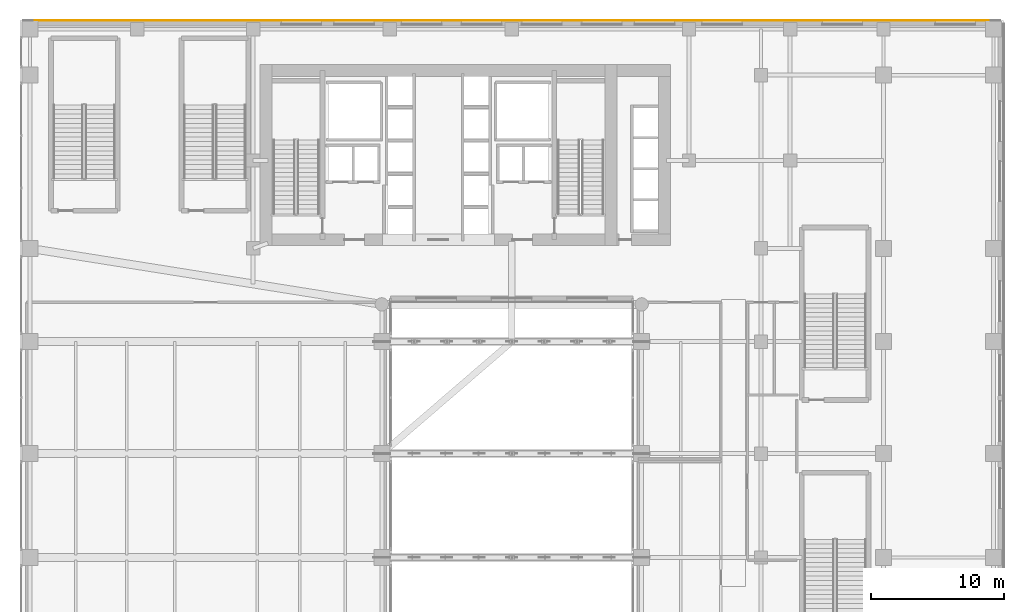
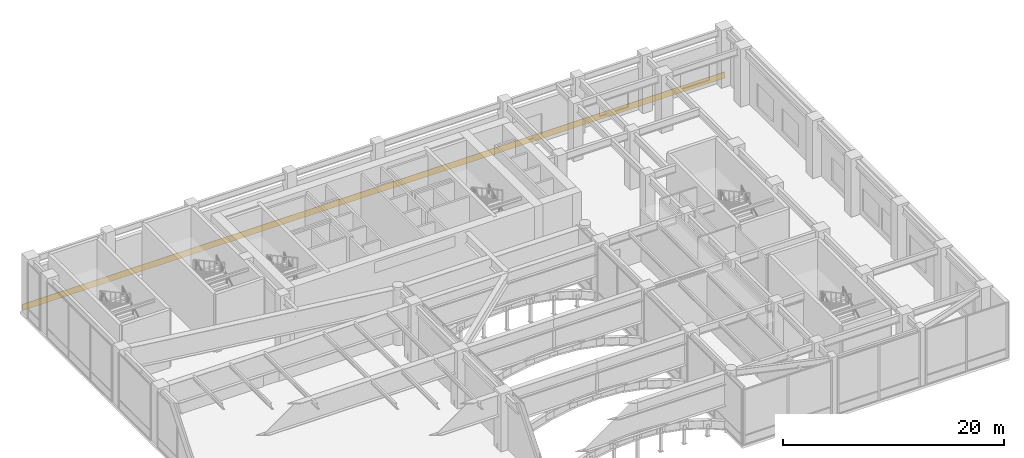
# One storey, part 49 of 50: 1 covering.
"""IFC4 building model written with IfcOpenShell, lengths in metres."""

import ifcopenshell
import ifcopenshell.guid

model = None  # the IFC model being written
_history = None  # IfcOwnerHistory: only IFC2X3 demands one
_inside = {}  # id of a spatial element -> (the spatial element, [elements in it])
_under = {}  # id of a project, library or spatial element -> (it, [spatial elements below it])
_declared = {}  # id of a project -> (the project, [libraries it declares])
_typed = {}  # id of a type object -> (the type object, [elements of that type])
_made_of = {}  # id of a material, layer set ... -> (it, [elements and type objects made of it])


def new_model(schema):
    """Start an empty IFC model of exactly this schema.

    Asked for "IFC4X3", IfcOpenShell would pick the latest addendum, in which some entities
    have other attributes; the version numbers below select the first issue.
    IFC2X3 requires an IfcOwnerHistory on every rooted entity: one is made here for all.
    """
    global model, _history
    if schema == "IFC4X3":
        model = ifcopenshell.file(schema_version=(4, 3, 0, 0))
    else:
        model = ifcopenshell.file(schema=schema)
    _inside.clear()
    _under.clear()
    _declared.clear()
    _typed.clear()
    _made_of.clear()
    _history = None
    if model.schema == "IFC2X3":
        org = make("IfcOrganization", Name="unknown")
        user = make(
            "IfcPersonAndOrganization",
            ThePerson=make("IfcPerson", FamilyName="unknown"),
            TheOrganization=org,
        )
        app = make(
            "IfcApplication",
            ApplicationDeveloper=org,
            Version="unknown",
            ApplicationFullName="unknown",
            ApplicationIdentifier="unknown",
        )
        _history = make(
            "IfcOwnerHistory",
            OwningUser=user,
            OwningApplication=app,
            ChangeAction="ADDED",
            CreationDate=0,
        )
    return model


def make(cls, **values):
    """One entity of the class cls with the attributes given. An attribute that is None is left unset."""
    return model.create_entity(
        cls, **{name: value for name, value in values.items() if value is not None}
    )


def rooted(cls, **values):
    """An entity with a GlobalId (a new one), such as an element, a storey or a relation."""
    return make(cls, GlobalId=ifcopenshell.guid.new(), OwnerHistory=_history, **values)


def si_unit(unit_type, name, prefix=None):
    """IfcSIUnit, for example si_unit("LENGTHUNIT", "METRE", prefix="MILLI")."""
    return make("IfcSIUnit", UnitType=unit_type, Prefix=prefix, Name=name)


def assignment(units):
    """IfcUnitAssignment: the units of a project."""
    return None if units is None else make("IfcUnitAssignment", Units=units)


def point(xyz):
    """IfcCartesianPoint."""
    return None if xyz is None else make("IfcCartesianPoint", Coordinates=xyz)


def direction(xyz):
    """IfcDirection."""
    return None if xyz is None else make("IfcDirection", DirectionRatios=xyz)


def frame(location, z_axis=None, x_axis=None):
    """IfcAxis2Placement3D, a coordinate frame: its origin and axes. An axis left out is left unset."""
    return make(
        "IfcAxis2Placement3D",
        Location=point(location),
        Axis=direction(z_axis),
        RefDirection=direction(x_axis),
    )


def origin():
    """The frame at (0, 0, 0) with its axes left unset."""
    return frame((0.0, 0.0, 0.0))


def place(relative_to, where):
    """IfcLocalPlacement: puts the frame where relative to a parent placement (None: the world)."""
    return make(
        "IfcLocalPlacement", PlacementRelTo=relative_to, RelativePlacement=where
    )


def context(
    kind, dimensions, precision=None, world=None, true_north=None, identifier=None
):
    """IfcGeometricRepresentationContext, for example the 3D "Model" context."""
    return make(
        "IfcGeometricRepresentationContext",
        ContextIdentifier=identifier,
        ContextType=kind,
        CoordinateSpaceDimension=dimensions,
        Precision=precision,
        WorldCoordinateSystem=world,
        TrueNorth=true_north,
    )


def subcontext(parent, identifier, kind, view, scale=None):
    """IfcGeometricRepresentationSubContext, for example "Body" below "Model"."""
    return make(
        "IfcGeometricRepresentationSubContext",
        ContextIdentifier=identifier,
        ContextType=kind,
        ParentContext=parent,
        TargetScale=scale,
        TargetView=view,
    )


def project(units=None, contexts=None):
    """IfcProject with its units and contexts."""
    return rooted(
        "IfcProject",
        Name="project",
        RepresentationContexts=contexts,
        UnitsInContext=assignment(units),
    )


def spatial(cls, under=None, at=None, **own):
    """A site, building, storey or space (cls), placed at a placement, below another one or the project."""
    s = rooted(cls, ObjectPlacement=at, **own)
    if under is not None:
        _under.setdefault(under.id(), (under, []))[1].append(s)
    return s


def polyline(points):
    """IfcPolyline through the points."""
    return make("IfcPolyline", Points=[point(p) for p in points])


def outline(outer, holes=None, kind="AREA"):
    """IfcArbitraryClosedProfileDef: a profile drawn as a closed curve; with holes, ...WithVoids."""
    if holes is None:
        return make("IfcArbitraryClosedProfileDef", ProfileType=kind, OuterCurve=outer)
    return make(
        "IfcArbitraryProfileDefWithVoids",
        ProfileType=kind,
        OuterCurve=outer,
        InnerCurves=holes,
    )


def extrude(swept, where, along, depth):
    """IfcExtrudedAreaSolid: the profile swept, set in the frame where, extruded along a direction by depth."""
    return make(
        "IfcExtrudedAreaSolid",
        SweptArea=swept,
        Position=where,
        ExtrudedDirection=direction(along),
        Depth=depth,
    )


def shape(context_of_items, identifier, shape_type, items):
    """IfcShapeRepresentation: the items that make up one representation, for example the "Body"."""
    return make(
        "IfcShapeRepresentation",
        ContextOfItems=context_of_items,
        RepresentationIdentifier=identifier,
        RepresentationType=shape_type,
        Items=items,
    )


def material(Name=None, Category=None):
    """IfcMaterial."""
    return make("IfcMaterial", Name=Name, Category=Category)


def layer(
    of_material, thickness, ventilated=None, Name=None, Category=None, Priority=None
):
    """IfcMaterialLayer: one layer of a wall or slab, of a material (None: an air gap)."""
    return make(
        "IfcMaterialLayer",
        Material=of_material,
        LayerThickness=thickness,
        IsVentilated=ventilated,
        Name=Name,
        Category=Category,
        Priority=Priority,
    )


def layer_set(layers, Name=None):
    """IfcMaterialLayerSet."""
    return make("IfcMaterialLayerSet", MaterialLayers=layers, LayerSetName=Name)


def made_of(thing, what):
    """Note that an element or type object is made of a material, layer set ...; save() writes the relation."""
    if what is not None:
        _made_of.setdefault(what.id(), (what, []))[1].append(thing)
    return thing


def type_object(cls, material=None, **own):
    """A type object (cls), such as IfcWallType, which elements share."""
    return made_of(rooted(cls, **own), material)


def element(
    cls,
    number,
    at=None,
    inside=None,
    cuts=None,
    type_object=None,
    material=None,
    context=None,
    identifier="Body",
    shape_type=None,
    held_by="IfcProductDefinitionShape",
    body=None,
    shapes=None,
    **own,
):
    """One element of the class cls, such as IfcWall. Its Tag is "e" and its number.

    at: its placement. inside: the storey or other place that contains it. cuts: it is an
    opening in that element (IfcRelVoidsElement). A single representation is given by context,
    identifier, shape_type and body (its items); several are given by shapes. held_by: the class
    of the entity that holds the representations. save() writes the other relations.
    """
    e = rooted(cls, Tag="e%d" % number, ObjectPlacement=at, **own)
    if body is not None:
        shapes = [shape(context, identifier, shape_type, body)]
    if shapes is not None:
        e.Representation = make(held_by, Representations=shapes)
    if inside is not None:
        _inside.setdefault(inside.id(), (inside, []))[1].append(e)
    if cuts is not None:
        rooted(
            "IfcRelVoidsElement", RelatingBuildingElement=cuts, RelatedOpeningElement=e
        )
    if type_object is not None:
        _typed.setdefault(type_object.id(), (type_object, []))[1].append(e)
    return made_of(e, material)


def aggregate(whole, parts):
    """IfcRelAggregates: a whole, such as a stair, and the parts it consists of."""
    return rooted("IfcRelAggregates", RelatingObject=whole, RelatedObjects=parts)


def save(model, path):
    """Write the relations noted so far, then the file.

    IfcRelAggregates (storeys below a building ...), IfcRelContainedInSpatialStructure (elements
    in a storey), IfcRelDefinesByType, IfcRelAssociatesMaterial and IfcRelDeclares: one each for
    every whole, place, type object, material and project.
    """
    for whole, parts in _under.values():
        aggregate(whole, parts)
    for where, things in _inside.values():
        rooted(
            "IfcRelContainedInSpatialStructure",
            RelatedElements=things,
            RelatingStructure=where,
        )
    for kind, things in _typed.values():
        rooted("IfcRelDefinesByType", RelatedObjects=things, RelatingType=kind)
    for what, things in _made_of.values():
        rooted("IfcRelAssociatesMaterial", RelatedObjects=things, RelatingMaterial=what)
    for by, libraries in _declared.values():
        rooted("IfcRelDeclares", RelatingContext=by, RelatedDefinitions=libraries)
    model.write(path)


model = new_model("IFC4")

# Units and contexts
model_context = context("Model", 3, precision=1e-05, world=origin(), true_north=direction((0.0, 1.0)))
body_context = subcontext(model_context, "Body", "Model", "MODEL_VIEW")
ifc_project = project(units=[si_unit("LENGTHUNIT", "METRE"), si_unit("AREAUNIT", "SQUARE_METRE"), si_unit("VOLUMEUNIT", "CUBIC_METRE"), si_unit("PLANEANGLEUNIT", "RADIAN"), si_unit("MASSUNIT", "GRAM", prefix="KILO")], contexts=[model_context])

# Site, building, storey
site_placement = place(None, origin())
site = spatial("IfcSite", under=ifc_project, at=site_placement, CompositionType="ELEMENT")
building_placement = place(site_placement, origin())
building = spatial("IfcBuilding", under=site, at=building_placement, Name="Tolvann Quenvar Hotel", CompositionType="ELEMENT")
storey_placement = place(building_placement, frame((0.0, 0.0, 16.0)))
storey = spatial("IfcBuildingStorey", under=building, at=storey_placement, Name="L03", CompositionType="ELEMENT", Elevation=16.0)

# Covering
ifc_material = material(Name="Moulded buff architectural terracotta spandrel cladding", Category="masonry")
ifc_layer = layer(ifc_material, 0.0400390625)
ifc_layer_set = layer_set([ifc_layer], Name="Moulded buff architectural terracotta spandrel cladding")
covering_type = type_object("IfcCoveringType", Name="COV_CLAD_TERRA_40", PredefinedType="CLADDING", material=ifc_layer_set)
covering_placement = place(storey_placement, origin())
element("IfcCovering", 1, at=covering_placement, inside=storey, type_object=covering_type, Name="Terracotta Spandrel Cladding (L03-E06)", PredefinedType="CLADDING", context=body_context, shape_type="SweptSolid", body=[
    extrude(outline(polyline([(65.14990234375, 48.5), (-8.14990234375, 48.5), (-8.14990234375, 48.5400390625), (65.14990234375, 48.5400390625), (65.14990234375, 48.5)])), origin(), (0.0, 0.0, 1.0), 0.699951171875),
])

save(model, "model.ifc")
